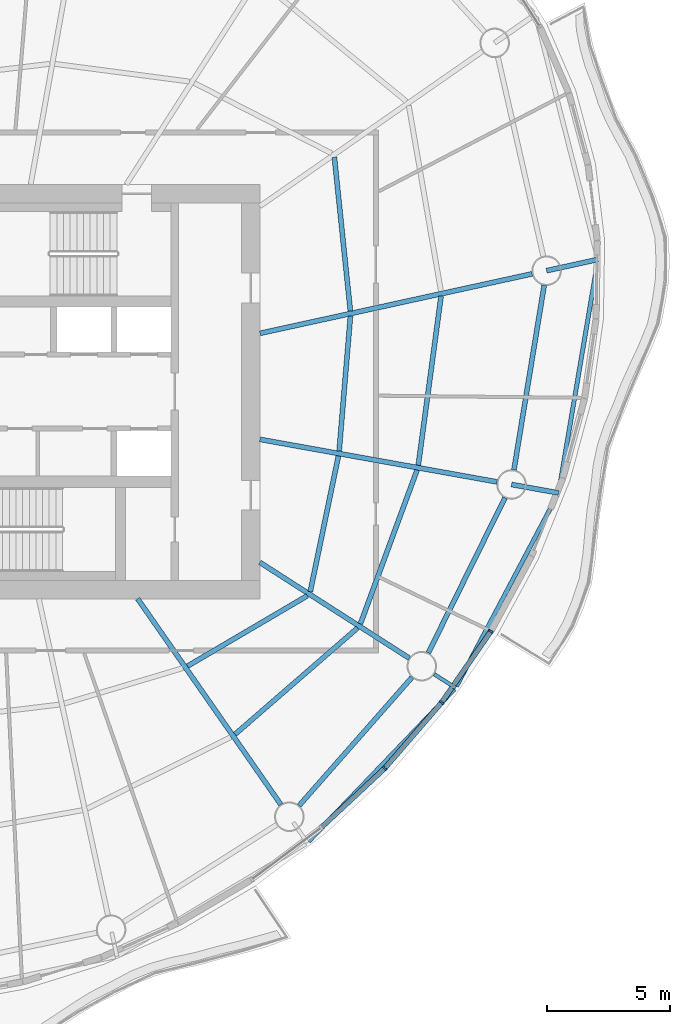
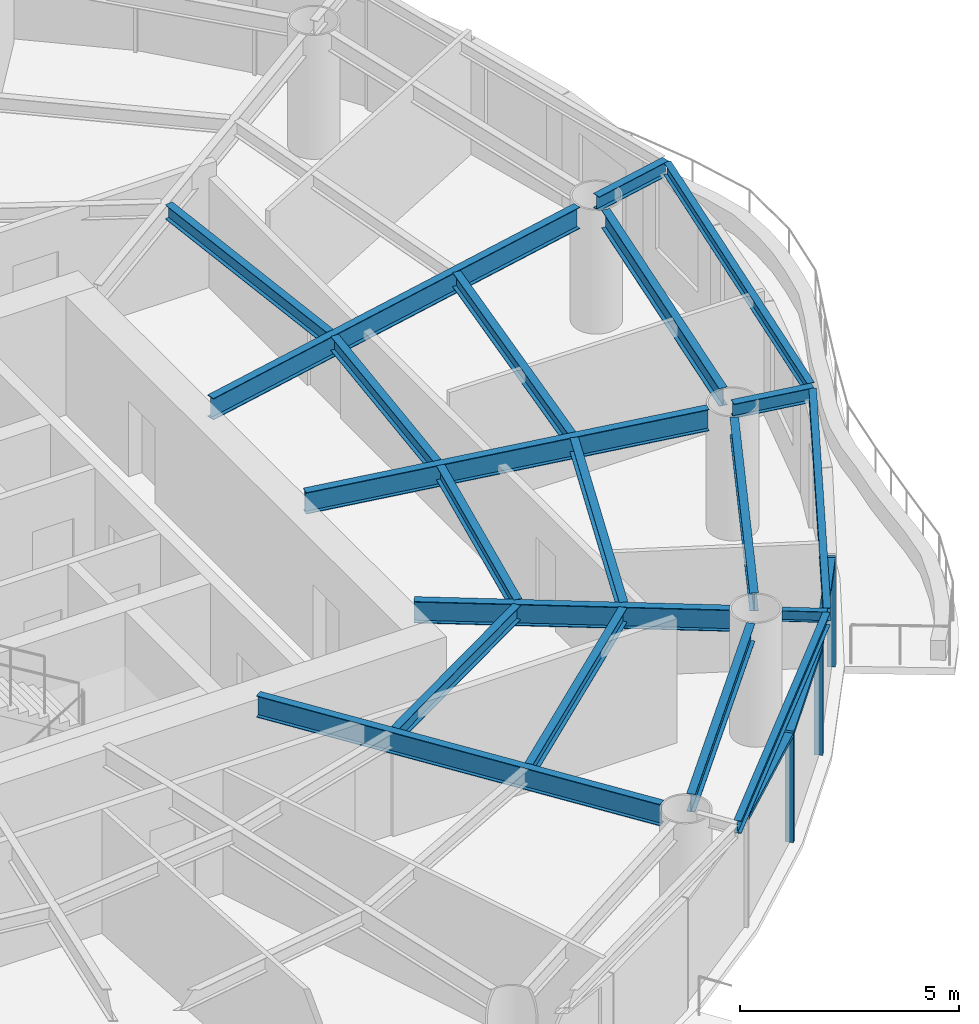
# One storey, part 4 of 14: 20 beams, 6 members, 3 elements without a shape of their own.
"""IFC4 building model written with IfcOpenShell, lengths in metres."""

import ifcopenshell
import ifcopenshell.guid

model = None  # the IFC model being written
_history = None  # IfcOwnerHistory: only IFC2X3 demands one
_inside = {}  # id of a spatial element -> (the spatial element, [elements in it])
_under = {}  # id of a project, library or spatial element -> (it, [spatial elements below it])
_declared = {}  # id of a project -> (the project, [libraries it declares])
_typed = {}  # id of a type object -> (the type object, [elements of that type])
_made_of = {}  # id of a material, layer set ... -> (it, [elements and type objects made of it])


def new_model(schema):
    """Start an empty IFC model of exactly this schema.

    Asked for "IFC4X3", IfcOpenShell would pick the latest addendum, in which some entities
    have other attributes; the version numbers below select the first issue.
    IFC2X3 requires an IfcOwnerHistory on every rooted entity: one is made here for all.
    """
    global model, _history
    if schema == "IFC4X3":
        model = ifcopenshell.file(schema_version=(4, 3, 0, 0))
    else:
        model = ifcopenshell.file(schema=schema)
    _inside.clear()
    _under.clear()
    _declared.clear()
    _typed.clear()
    _made_of.clear()
    _history = None
    if model.schema == "IFC2X3":
        org = make("IfcOrganization", Name="unknown")
        user = make(
            "IfcPersonAndOrganization",
            ThePerson=make("IfcPerson", FamilyName="unknown"),
            TheOrganization=org,
        )
        app = make(
            "IfcApplication",
            ApplicationDeveloper=org,
            Version="unknown",
            ApplicationFullName="unknown",
            ApplicationIdentifier="unknown",
        )
        _history = make(
            "IfcOwnerHistory",
            OwningUser=user,
            OwningApplication=app,
            ChangeAction="ADDED",
            CreationDate=0,
        )
    return model


def make(cls, **values):
    """One entity of the class cls with the attributes given. An attribute that is None is left unset."""
    return model.create_entity(
        cls, **{name: value for name, value in values.items() if value is not None}
    )


def rooted(cls, **values):
    """An entity with a GlobalId (a new one), such as an element, a storey or a relation."""
    return make(cls, GlobalId=ifcopenshell.guid.new(), OwnerHistory=_history, **values)


def si_unit(unit_type, name, prefix=None):
    """IfcSIUnit, for example si_unit("LENGTHUNIT", "METRE", prefix="MILLI")."""
    return make("IfcSIUnit", UnitType=unit_type, Prefix=prefix, Name=name)


def assignment(units):
    """IfcUnitAssignment: the units of a project."""
    return None if units is None else make("IfcUnitAssignment", Units=units)


def point(xyz):
    """IfcCartesianPoint."""
    return None if xyz is None else make("IfcCartesianPoint", Coordinates=xyz)


def direction(xyz):
    """IfcDirection."""
    return None if xyz is None else make("IfcDirection", DirectionRatios=xyz)


def frame(location, z_axis=None, x_axis=None):
    """IfcAxis2Placement3D, a coordinate frame: its origin and axes. An axis left out is left unset."""
    return make(
        "IfcAxis2Placement3D",
        Location=point(location),
        Axis=direction(z_axis),
        RefDirection=direction(x_axis),
    )


def frame_2d(location, x_axis=None):
    """IfcAxis2Placement2D, a coordinate frame in the plane: its origin and x axis."""
    return make(
        "IfcAxis2Placement2D", Location=point(location), RefDirection=direction(x_axis)
    )


def origin():
    """The frame at (0, 0, 0) with its axes left unset."""
    return frame((0.0, 0.0, 0.0))


def origin_2d():
    """The frame at (0, 0) in the plane with its x axis left unset."""
    return frame_2d((0.0, 0.0))


def place(relative_to, where):
    """IfcLocalPlacement: puts the frame where relative to a parent placement (None: the world)."""
    return make(
        "IfcLocalPlacement", PlacementRelTo=relative_to, RelativePlacement=where
    )


def context(
    kind, dimensions, precision=None, world=None, true_north=None, identifier=None
):
    """IfcGeometricRepresentationContext, for example the 3D "Model" context."""
    return make(
        "IfcGeometricRepresentationContext",
        ContextIdentifier=identifier,
        ContextType=kind,
        CoordinateSpaceDimension=dimensions,
        Precision=precision,
        WorldCoordinateSystem=world,
        TrueNorth=true_north,
    )


def subcontext(parent, identifier, kind, view, scale=None):
    """IfcGeometricRepresentationSubContext, for example "Body" below "Model"."""
    return make(
        "IfcGeometricRepresentationSubContext",
        ContextIdentifier=identifier,
        ContextType=kind,
        ParentContext=parent,
        TargetScale=scale,
        TargetView=view,
    )


def project(units=None, contexts=None):
    """IfcProject with its units and contexts."""
    return rooted(
        "IfcProject",
        Name="project",
        RepresentationContexts=contexts,
        UnitsInContext=assignment(units),
    )


def spatial(cls, under=None, at=None, **own):
    """A site, building, storey or space (cls), placed at a placement, below another one or the project."""
    s = rooted(cls, ObjectPlacement=at, **own)
    if under is not None:
        _under.setdefault(under.id(), (under, []))[1].append(s)
    return s


def profile(cls, at=None, kind="AREA", **sizes):
    """A parametric profile (cls). Its sizes go by their IFC names, for example OverallWidth=200.0."""
    return make(cls, ProfileType=kind, Position=at, **sizes)


def rectangle(**sizes):
    """IfcRectangleProfileDef."""
    return profile("IfcRectangleProfileDef", **sizes)


def i_section(**sizes):
    """IfcIShapeProfileDef."""
    return profile("IfcIShapeProfileDef", **sizes)


def extrude(swept, where, along, depth):
    """IfcExtrudedAreaSolid: the profile swept, set in the frame where, extruded along a direction by depth."""
    return make(
        "IfcExtrudedAreaSolid",
        SweptArea=swept,
        Position=where,
        ExtrudedDirection=direction(along),
        Depth=depth,
    )


def shape(context_of_items, identifier, shape_type, items):
    """IfcShapeRepresentation: the items that make up one representation, for example the "Body"."""
    return make(
        "IfcShapeRepresentation",
        ContextOfItems=context_of_items,
        RepresentationIdentifier=identifier,
        RepresentationType=shape_type,
        Items=items,
    )


def material(Name=None, Category=None):
    """IfcMaterial."""
    return make("IfcMaterial", Name=Name, Category=Category)


def material_profile(
    of_material, cross_section, Name=None, Category=None, Priority=None
):
    """IfcMaterialProfile: a cross section and its material."""
    return make(
        "IfcMaterialProfile",
        Name=Name,
        Material=of_material,
        Profile=cross_section,
        Priority=Priority,
        Category=Category,
    )


def profile_set(profiles, Name=None, composite=None):
    """IfcMaterialProfileSet."""
    return make(
        "IfcMaterialProfileSet",
        Name=Name,
        MaterialProfiles=profiles,
        CompositeProfile=composite,
    )


def made_of(thing, what):
    """Note that an element or type object is made of a material, layer set ...; save() writes the relation."""
    if what is not None:
        _made_of.setdefault(what.id(), (what, []))[1].append(thing)
    return thing


def type_object(cls, material=None, **own):
    """A type object (cls), such as IfcWallType, which elements share."""
    return made_of(rooted(cls, **own), material)


def element(
    cls,
    number,
    at=None,
    inside=None,
    cuts=None,
    type_object=None,
    material=None,
    context=None,
    identifier="Body",
    shape_type=None,
    held_by="IfcProductDefinitionShape",
    body=None,
    shapes=None,
    **own,
):
    """One element of the class cls, such as IfcWall. Its Tag is "e" and its number.

    at: its placement. inside: the storey or other place that contains it. cuts: it is an
    opening in that element (IfcRelVoidsElement). A single representation is given by context,
    identifier, shape_type and body (its items); several are given by shapes. held_by: the class
    of the entity that holds the representations. save() writes the other relations.
    """
    e = rooted(cls, Tag="e%d" % number, ObjectPlacement=at, **own)
    if body is not None:
        shapes = [shape(context, identifier, shape_type, body)]
    if shapes is not None:
        e.Representation = make(held_by, Representations=shapes)
    if inside is not None:
        _inside.setdefault(inside.id(), (inside, []))[1].append(e)
    if cuts is not None:
        rooted(
            "IfcRelVoidsElement", RelatingBuildingElement=cuts, RelatedOpeningElement=e
        )
    if type_object is not None:
        _typed.setdefault(type_object.id(), (type_object, []))[1].append(e)
    return made_of(e, material)


def aggregate(whole, parts):
    """IfcRelAggregates: a whole, such as a stair, and the parts it consists of."""
    return rooted("IfcRelAggregates", RelatingObject=whole, RelatedObjects=parts)


def save(model, path):
    """Write the relations noted so far, then the file.

    IfcRelAggregates (storeys below a building ...), IfcRelContainedInSpatialStructure (elements
    in a storey), IfcRelDefinesByType, IfcRelAssociatesMaterial and IfcRelDeclares: one each for
    every whole, place, type object, material and project.
    """
    for whole, parts in _under.values():
        aggregate(whole, parts)
    for where, things in _inside.values():
        rooted(
            "IfcRelContainedInSpatialStructure",
            RelatedElements=things,
            RelatingStructure=where,
        )
    for kind, things in _typed.values():
        rooted("IfcRelDefinesByType", RelatedObjects=things, RelatingType=kind)
    for what, things in _made_of.values():
        rooted("IfcRelAssociatesMaterial", RelatedObjects=things, RelatingMaterial=what)
    for by, libraries in _declared.values():
        rooted("IfcRelDeclares", RelatingContext=by, RelatedDefinitions=libraries)
    model.write(path)


model = new_model("IFC4")

# Units and contexts
model_context = context("Model", 3, precision=1e-05, world=origin(), true_north=direction((0.0, 1.0)))
body_context = subcontext(model_context, "Body", "Model", "MODEL_VIEW")
ifc_project = project(units=[si_unit("LENGTHUNIT", "METRE"), si_unit("AREAUNIT", "SQUARE_METRE"), si_unit("VOLUMEUNIT", "CUBIC_METRE"), si_unit("PLANEANGLEUNIT", "RADIAN"), si_unit("MASSUNIT", "GRAM", prefix="KILO")], contexts=[model_context])

# Site, building, storey
site_placement = place(None, origin())
site = spatial("IfcSite", under=ifc_project, at=site_placement, CompositionType="ELEMENT")
building_placement = place(site_placement, origin())
building = spatial("IfcBuilding", under=site, at=building_placement, Name="Vermilion Reach Broadcast Tower", CompositionType="ELEMENT")
storey_placement = place(building_placement, frame((0.0, 0.0, 217.300048828125)))
storey = spatial("IfcBuildingStorey", under=building, at=storey_placement, Name="L53", CompositionType="ELEMENT", Elevation=217.300048828125)

# Beams
ifc_material_1 = material(Name="Steel S355J2", Category="steel")
ifc_material_profile_1 = material_profile(ifc_material_1, i_section(OverallWidth=0.175048828125, OverallDepth=0.35009765625, WebThickness=0.007080078125, FlangeThickness=0.010986328125, at=origin_2d()), Name="S355J2 HN 350x175x7x11")
ifc_profile_set_1 = profile_set([ifc_material_profile_1], Name="Steel S355J2")
beam_type_1 = type_object("IfcBeamType", Name="EB4 HN 350x175x7x11", PredefinedType="BEAM", material=ifc_profile_set_1)
beam_1_placement = place(storey_placement, frame((6.779541015625, -18.2353515625, 3.27490234375), z_axis=(0.691537527371, 0.722340534815, 0.0), x_axis=(-0.722340534815, 0.691537527371, 0.0)))
element("IfcBeam", 1, at=beam_1_placement, inside=storey, type_object=beam_type_1, Name="Edge beam EB4-12", PredefinedType="BEAM", context=body_context, shape_type="SweptSolid", body=[
    extrude(i_section(OverallWidth=0.175048828125, OverallDepth=0.35009765625, WebThickness=0.007080078125, FlangeThickness=0.010986328125, at=origin_2d()), origin(), (0.0, 0.0, 1.0), 8.5361328125),
])
beam_2_placement = place(storey_placement, frame((12.770751953125, -11.947509765625, 3.27490234375), z_axis=(0.46684098408, 0.884341277779, 0.0), x_axis=(-0.884341277779, 0.46684098408, 0.0)))
element("IfcBeam", 2, at=beam_2_placement, inside=storey, type_object=beam_type_1, Name="Edge beam EB4-13", PredefinedType="BEAM", context=body_context, shape_type="SweptSolid", body=[
    extrude(i_section(OverallWidth=0.175048828125, OverallDepth=0.35009765625, WebThickness=0.007080078125, FlangeThickness=0.010986328125, at=origin_2d()), origin(), (0.0, 0.0, 1.0), 8.758056640625),
])
beam_3_placement = place(storey_placement, frame((16.925048828125, -4.010986328125, 3.27490234375), z_axis=(0.166485083639, 0.98604397312, 0.0), x_axis=(-0.98604397312, 0.166485083639, 0.0)))
element("IfcBeam", 3, at=beam_3_placement, inside=storey, type_object=beam_type_1, Name="Edge beam EB4-14", PredefinedType="BEAM", context=body_context, shape_type="SweptSolid", body=[
    extrude(i_section(OverallWidth=0.175048828125, OverallDepth=0.35009765625, WebThickness=0.007080078125, FlangeThickness=0.010986328125, at=origin_2d()), origin(), (0.0, 0.0, 1.0), 9.392578125),
])
ifc_material_2 = material(Name="Steel S355J2", Category="steel")
ifc_material_profile_2 = material_profile(ifc_material_2, i_section(OverallWidth=0.199951171875, OverallDepth=0.60009765625, WebThickness=0.010986328125, FlangeThickness=0.01708984375, at=origin_2d()), Name="S355J2 HN 600x200x11x17")
ifc_profile_set_2 = profile_set([ifc_material_profile_2], Name="Steel S355J2")
beam_type_2 = type_object("IfcBeamType", Name="G4 HN 600x200x11x17", PredefinedType="BEAM", material=ifc_profile_set_2)
beam_4_placement = place(storey_placement, frame((-0.1552734375, -8.39990234375, 3.14990234375), z_axis=(0.571134149017, -0.8208567377, 0.0), x_axis=(0.8208567377, 0.571134149017, 0.0)))
element("IfcBeam", 4, at=beam_4_placement, inside=storey, type_object=beam_type_2, Name="Girder G4-12", PredefinedType="BEAM", context=body_context, shape_type="SweptSolid", body=[
    extrude(i_section(OverallWidth=0.199951171875, OverallDepth=0.60009765625, WebThickness=0.010986328125, FlangeThickness=0.01708984375, at=origin_2d()), origin(), (0.0, 0.0, 1.0), 10.16552734375),
])
beam_5_placement = place(storey_placement, frame((4.800048828125, -6.925537109375, 3.14990234375), z_axis=(0.841798504642, -0.539791883584, 0.0), x_axis=(0.539791883584, 0.841798504642, 0.0)))
element("IfcBeam", 5, at=beam_5_placement, inside=storey, type_object=beam_type_2, Name="Girder G4-13", PredefinedType="BEAM", context=body_context, shape_type="SweptSolid", body=[
    extrude(i_section(OverallWidth=0.199951171875, OverallDepth=0.60009765625, WebThickness=0.010986328125, FlangeThickness=0.01708984375, at=origin_2d()), origin(), (0.0, 0.0, 1.0), 7.1962890625),
])
beam_6_placement = place(storey_placement, frame((4.800048828125, -1.9375, 3.14990234375), z_axis=(0.984291153273, -0.176552897422, 0.0), x_axis=(0.176552897422, 0.984291153273, 0.0)))
element("IfcBeam", 6, at=beam_6_placement, inside=storey, type_object=beam_type_2, Name="Girder G4-14", PredefinedType="BEAM", context=body_context, shape_type="SweptSolid", body=[
    extrude(i_section(OverallWidth=0.199951171875, OverallDepth=0.60009765625, WebThickness=0.010986328125, FlangeThickness=0.01708984375, at=origin_2d()), origin(), (0.0, 0.0, 1.0), 9.765380859375),
])
beam_7_placement = place(storey_placement, frame((4.800048828125, 2.360595703125, 3.14990234375), z_axis=(0.976930175286, 0.213558967537, 0.0), x_axis=(-0.213558967537, 0.976930175286, 0.0)))
element("IfcBeam", 7, at=beam_7_placement, inside=storey, type_object=beam_type_2, Name="Girder G4-15", PredefinedType="BEAM", context=body_context, shape_type="SweptSolid", body=[
    extrude(i_section(OverallWidth=0.199951171875, OverallDepth=0.60009765625, WebThickness=0.010986328125, FlangeThickness=0.01708984375, at=origin_2d()), origin(), (0.0, 0.0, 1.0), 11.29833984375),
])
ifc_material_3 = material(Name="Steel S355J2", Category="steel")
ifc_material_profile_3 = material_profile(ifc_material_3, i_section(OverallWidth=0.199951171875, OverallDepth=0.39990234375, WebThickness=0.008056640625, FlangeThickness=0.012939453125, at=origin_2d()), Name="S355J2 HN 400x200x8x13")
ifc_profile_set_3 = profile_set([ifc_material_profile_3], Name="Steel S355J2")
beam_type_3 = type_object("IfcBeamType", Name="GC4 HN 400x200x8x13", PredefinedType="BEAM", material=ifc_profile_set_3)
beam_8_placement = place(storey_placement, frame((15.002685546875, -3.767578125, 3.25), z_axis=(0.984272893528, -0.176654666133, 0.0), x_axis=(0.176654666133, 0.984272893528, 0.0)))
element("IfcBeam", 8, at=beam_8_placement, inside=storey, type_object=beam_type_3, Name="Cantilever girder GC4-14", PredefinedType="BEAM", context=body_context, shape_type="SweptSolid", body=[
    extrude(i_section(OverallWidth=0.199951171875, OverallDepth=0.39990234375, WebThickness=0.008056640625, FlangeThickness=0.012939453125, at=origin_2d()), origin(), (0.0, 0.0, 1.0), 1.936279296875),
])
beam_9_placement = place(storey_placement, frame((16.423828125, 4.9013671875, 3.25), z_axis=(0.976927650781, 0.213570515614, 0.0), x_axis=(-0.213570515614, 0.976927650781, 0.0)))
element("IfcBeam", 9, at=beam_9_placement, inside=storey, type_object=beam_type_3, Name="Cantilever girder GC4-15", PredefinedType="BEAM", context=body_context, shape_type="SweptSolid", body=[
    extrude(i_section(OverallWidth=0.199951171875, OverallDepth=0.39990234375, WebThickness=0.008056640625, FlangeThickness=0.012939453125, at=origin_2d()), origin(), (0.0, 0.0, 1.0), 2.1318359375),
])
ifc_material_4 = material(Name="Steel S355J2", Category="steel")
ifc_material_profile_4 = material_profile(ifc_material_4, i_section(OverallWidth=0.14990234375, OverallDepth=0.300048828125, WebThickness=0.006591796875, FlangeThickness=0.009033203125, at=origin_2d()), Name="S355J2 HN 300x150x6.5x9")
ifc_profile_set_4 = profile_set([ifc_material_profile_4], Name="Steel S355J2")
beam_type_4 = type_object("IfcBeamType", Name="GS4 HN 300x150x6.5x9", PredefinedType="BEAM", material=ifc_profile_set_4)
beam_10_placement = place(storey_placement, frame((11.867919921875, -11.457763671875, 3.300048828125), z_axis=(0.841793590175, -0.539799547555, 0.0), x_axis=(0.539799547555, 0.841793590175, 0.0)))
element("IfcBeam", 10, at=beam_10_placement, inside=storey, type_object=beam_type_4, Name="Cantilever stub GS4-13", PredefinedType="BEAM", context=body_context, shape_type="SweptSolid", body=[
    extrude(i_section(OverallWidth=0.14990234375, OverallDepth=0.300048828125, WebThickness=0.006591796875, FlangeThickness=0.009033203125, at=origin_2d()), origin(), (0.0, 0.0, 1.0), 1.03076171875),
])
ifc_material_5 = material(Name="Steel S355J2", Category="steel")
ifc_material_profile_5 = material_profile(ifc_material_5, i_section(OverallWidth=0.199951171875, OverallDepth=0.5, WebThickness=0.010009765625, FlangeThickness=0.01611328125, at=origin_2d()), Name="S355J2 HN 500x200x10x16")
ifc_profile_set_5 = profile_set([ifc_material_profile_5], Name="Steel S355J2")
beam_type_5 = type_object("IfcBeamType", Name="RB4 HN 500x200x10x16", PredefinedType="BEAM", material=ifc_profile_set_5)
beam_11_placement = place(storey_placement, frame((6.3896484375, -16.786376953125, 3.199951171875), z_axis=(0.660565141761, 0.750768735024, 0.0), x_axis=(-0.750768735024, 0.660565141761, 0.0)))
element("IfcBeam", 11, at=beam_11_placement, inside=storey, type_object=beam_type_5, Name="Ring beam RB4-12", PredefinedType="BEAM", context=body_context, shape_type="SweptSolid", body=[
    extrude(i_section(OverallWidth=0.199951171875, OverallDepth=0.5, WebThickness=0.010009765625, FlangeThickness=0.01611328125, at=origin_2d()), origin(), (0.0, 0.0, 1.0), 6.9287109375),
])
beam_12_placement = place(storey_placement, frame((11.628662109375, -10.595947265625, 3.199951171875), z_axis=(0.442977497199, 0.896532730566, 0.0), x_axis=(-0.896532730566, 0.442977497199, 0.0)))
element("IfcBeam", 12, at=beam_12_placement, inside=storey, type_object=beam_type_5, Name="Ring beam RB4-13", PredefinedType="BEAM", context=body_context, shape_type="SweptSolid", body=[
    extrude(i_section(OverallWidth=0.199951171875, OverallDepth=0.5, WebThickness=0.010009765625, FlangeThickness=0.01611328125, at=origin_2d()), origin(), (0.0, 0.0, 1.0), 7.0166015625),
])
beam_13_placement = place(storey_placement, frame((15.099609375, -3.175537109375, 3.199951171875), z_axis=(0.161778110263, 0.986827159659, 0.0), x_axis=(-0.986827159659, 0.161778110263, 0.0)))
element("IfcBeam", 13, at=beam_13_placement, inside=storey, type_object=beam_type_5, Name="Ring beam RB4-14", PredefinedType="BEAM", context=body_context, shape_type="SweptSolid", body=[
    extrude(i_section(OverallWidth=0.199951171875, OverallDepth=0.5, WebThickness=0.010009765625, FlangeThickness=0.01611328125, at=origin_2d()), origin(), (0.0, 0.0, 1.0), 7.584716796875),
])
ifc_material_6 = material(Name="Steel S355J2", Category="steel")
ifc_material_profile_6 = material_profile(ifc_material_6, i_section(OverallWidth=0.199951171875, OverallDepth=0.39990234375, WebThickness=0.008056640625, FlangeThickness=0.012939453125, at=origin_2d()), Name="S355J2 HN 400x200x8x13")
ifc_profile_set_6 = profile_set([ifc_material_profile_6], Name="Steel S355J2")
beam_type_6 = type_object("IfcBeamType", Name="SB4 HN 400x200x8x13", PredefinedType="BEAM", material=ifc_profile_set_6)
beam_14_placement = place(storey_placement, frame((1.866455078125, -11.130615234375, 3.25), z_axis=(0.862172572268, 0.506614701356, 0.0), x_axis=(-0.506614701356, 0.862172572268, 0.0)))
element("IfcBeam", 14, at=beam_14_placement, inside=storey, type_object=beam_type_6, Name="Secondary beam SB4-12-1", PredefinedType="BEAM", context=body_context, shape_type="SweptSolid", body=[
    extrude(i_section(OverallWidth=0.199951171875, OverallDepth=0.39990234375, WebThickness=0.008056640625, FlangeThickness=0.012939453125, at=origin_2d()), origin(), (0.0, 0.0, 1.0), 5.632568359375),
])
beam_15_placement = place(storey_placement, frame((3.791259765625, -13.89697265625, 3.25), z_axis=(0.755129308567, 0.655575874589, 0.0), x_axis=(-0.655575874589, 0.755129308567, 0.0)))
element("IfcBeam", 15, at=beam_15_placement, inside=storey, type_object=beam_type_6, Name="Secondary beam SB4-12-2", PredefinedType="BEAM", context=body_context, shape_type="SweptSolid", body=[
    extrude(i_section(OverallWidth=0.199951171875, OverallDepth=0.39990234375, WebThickness=0.008056640625, FlangeThickness=0.012939453125, at=origin_2d()), origin(), (0.0, 0.0, 1.0), 6.57958984375),
])
beam_16_placement = place(storey_placement, frame((6.841064453125, -8.115478515625, 3.25), z_axis=(0.20320860258, 0.979135467562, 0.0), x_axis=(-0.979135467562, 0.20320860258, 0.0)))
element("IfcBeam", 16, at=beam_16_placement, inside=storey, type_object=beam_type_6, Name="Secondary beam SB4-13-1", PredefinedType="BEAM", context=body_context, shape_type="SweptSolid", body=[
    extrude(i_section(OverallWidth=0.199951171875, OverallDepth=0.39990234375, WebThickness=0.008056640625, FlangeThickness=0.012939453125, at=origin_2d()), origin(), (0.0, 0.0, 1.0), 5.622802734375),
])
beam_17_placement = place(storey_placement, frame((8.8740234375, -9.419189453125, 3.25), z_axis=(0.345833008621, 0.938296078084, 0.0), x_axis=(-0.938296078084, 0.345833008621, 0.0)))
element("IfcBeam", 17, at=beam_17_placement, inside=storey, type_object=beam_type_6, Name="Secondary beam SB4-13-2", PredefinedType="BEAM", context=body_context, shape_type="SweptSolid", body=[
    extrude(i_section(OverallWidth=0.199951171875, OverallDepth=0.39990234375, WebThickness=0.008056640625, FlangeThickness=0.012939453125, at=origin_2d()), origin(), (0.0, 0.0, 1.0), 6.647216796875),
])
beam_18_placement = place(storey_placement, frame((8.012451171875, -2.412109375, 3.25), z_axis=(0.08339866655, 0.996516262997, 0.0), x_axis=(-0.996516262997, 0.08339866655, 0.0)))
element("IfcBeam", 18, at=beam_18_placement, inside=storey, type_object=beam_type_6, Name="Secondary beam SB4-14-1", PredefinedType="BEAM", context=body_context, shape_type="SweptSolid", body=[
    extrude(i_section(OverallWidth=0.199951171875, OverallDepth=0.39990234375, WebThickness=0.008056640625, FlangeThickness=0.012939453125, at=origin_2d()), origin(), (0.0, 0.0, 1.0), 5.49169921875),
])
beam_19_placement = place(storey_placement, frame((11.221435546875, -2.98779296875, 3.25), z_axis=(0.133486718782, 0.991050602093, 0.0), x_axis=(-0.991050602093, 0.133486718782, 0.0)))
element("IfcBeam", 19, at=beam_19_placement, inside=storey, type_object=beam_type_6, Name="Secondary beam SB4-14-2", PredefinedType="BEAM", context=body_context, shape_type="SweptSolid", body=[
    extrude(i_section(OverallWidth=0.199951171875, OverallDepth=0.39990234375, WebThickness=0.008056640625, FlangeThickness=0.012939453125, at=origin_2d()), origin(), (0.0, 0.0, 1.0), 6.913330078125),
])
beam_20_placement = place(storey_placement, frame((8.46875, 3.264892578125, 3.25), z_axis=(-0.103532173355, 0.994626105167, 0.0), x_axis=(-0.994626105167, -0.103532173355, 0.0)))
element("IfcBeam", 20, at=beam_20_placement, inside=storey, type_object=beam_type_6, Name="Secondary beam SB4-15-1", PredefinedType="BEAM", context=body_context, shape_type="SweptSolid", body=[
    extrude(i_section(OverallWidth=0.199951171875, OverallDepth=0.39990234375, WebThickness=0.008056640625, FlangeThickness=0.012939453125, at=origin_2d()), origin(), (0.0, 0.0, 1.0), 6.26318359375),
])

# Curtain wall, member
ifc_material_7 = material(Name="Low-e laminated clear glass in aluminium frame", Category="aluminium")
curtain_wall_type = type_object("IfcCurtainWallType", Name="Slot curtain wall", PredefinedType="NOTDEFINED", material=ifc_material_7)
placement = place(storey_placement, origin())
curtain_wall_1 = element("IfcCurtainWall", 21, at=placement, inside=storey, type_object=curtain_wall_type, Name="Slot curtain wall L53 36", PredefinedType="NOTDEFINED")
ifc_material_8 = material(Name="Anodised aluminium", Category="aluminium")
ifc_material_profile_7 = material_profile(ifc_material_8, rectangle(XDim=0.199951171875, YDim=0.080078125, at=origin_2d()), Name="Slot mullion 80 x 200")
ifc_profile_set_7 = profile_set([ifc_material_profile_7], Name="Anodised aluminium")
member_type_1 = type_object("IfcMemberType", Name="Slot mullion 80 x 200", PredefinedType="MULLION", material=ifc_profile_set_7)
member_1_placement = place(storey_placement, frame((9.861083984375, -15.274169921875, 0.0), z_axis=(0.0, 0.0, 1.0), x_axis=(-0.720308959658, 0.693653373549, 0.0)))
member_1 = element("IfcMember", 22, at=member_1_placement, type_object=member_type_1, Name="Slot mullion L53 36", PredefinedType="MULLION", context=body_context, shape_type="SweptSolid", body=[
    extrude(rectangle(XDim=0.199951171875, YDim=0.080078125, at=origin_2d()), origin(), (0.0, 0.0, 1.0), 3.050048828125),
])

# Curtain wall, members
curtain_wall_2 = element("IfcCurtainWall", 23, at=placement, inside=storey, type_object=curtain_wall_type, Name="Slot curtain wall L53 37", PredefinedType="NOTDEFINED")
member_2_placement = place(storey_placement, frame((12.16845703125, -12.605224609375, 0.0), z_axis=(0.0, 0.0, 1.0), x_axis=(-0.790646055855, 0.61227348004, 0.0)))
member_2 = element("IfcMember", 24, at=member_2_placement, type_object=member_type_1, Name="Slot mullion L53 37", PredefinedType="MULLION", context=body_context, shape_type="SweptSolid", body=[
    extrude(rectangle(XDim=0.199951171875, YDim=0.080078125, at=origin_2d()), origin(), (0.0, 0.0, 1.0), 3.050048828125),
])
member_3_placement = place(storey_placement, frame((14.16357421875, -9.7197265625, 0.0), z_axis=(0.0, 0.0, 1.0), x_axis=(-0.852466806886, 0.522781353108, 0.0)))
member_3 = element("IfcMember", 25, at=member_3_placement, type_object=member_type_1, Name="Slot mullion L53 38", PredefinedType="MULLION", context=body_context, shape_type="SweptSolid", body=[
    extrude(rectangle(XDim=0.199951171875, YDim=0.080078125, at=origin_2d()), origin(), (0.0, 0.0, 1.0), 3.050048828125),
])

# Curtain wall, member
curtain_wall_3 = element("IfcCurtainWall", 26, at=placement, inside=storey, type_object=curtain_wall_type, Name="Slot curtain wall L53 35", PredefinedType="NOTDEFINED")
ifc_material_9 = material(Name="Anodised aluminium", Category="aluminium")
ifc_material_profile_8 = material_profile(ifc_material_9, rectangle(XDim=0.199951171875, YDim=0.10009765625, at=origin_2d()), Name="Slot transom 200 x 100")
ifc_profile_set_8 = profile_set([ifc_material_profile_8], Name="Anodised aluminium")
member_type_2 = type_object("IfcMemberType", Name="Slot transom 200 x 100", PredefinedType="USERDEFINED", material=ifc_profile_set_8)
member_4_placement = place(storey_placement, frame((7.310302734375, -17.6533203125, 3.0), z_axis=(0.731248306149, 0.68211136536, 0.0), x_axis=(-0.68211136536, 0.731248306149, 0.0)))
member_4 = element("IfcMember", 27, at=member_4_placement, type_object=member_type_2, Name="Slot transom L53 35.1", ObjectType="TRANSOM", PredefinedType="USERDEFINED", context=body_context, shape_type="SweptSolid", body=[
    extrude(rectangle(XDim=0.199951171875, YDim=0.10009765625, at=origin_2d()), origin(), (0.0, 0.0, 1.0), 3.4482421875),
])
aggregate(curtain_wall_3, [member_4])

# Member
member_5_placement = place(storey_placement, frame((9.88720703125, -15.243896484375, 3.0), z_axis=(0.654021646403, 0.756475833081, 0.0), x_axis=(-0.756475833081, 0.654021646403, 0.0)))
member_5 = element("IfcMember", 28, at=member_5_placement, type_object=member_type_2, Name="Slot transom L53 36.1", ObjectType="TRANSOM", PredefinedType="USERDEFINED", context=body_context, shape_type="SweptSolid", body=[
    extrude(rectangle(XDim=0.199951171875, YDim=0.10009765625, at=origin_2d()), origin(), (0.0, 0.0, 1.0), 3.447998046875),
])

aggregate(curtain_wall_1, [member_1, member_5])

member_6_placement = place(storey_placement, frame((12.191162109375, -12.572265625, 3.0), z_axis=(0.568754375196, 0.822507422882, 0.0), x_axis=(-0.822507422882, 0.568754375196, 0.0)))
member_6 = element("IfcMember", 29, at=member_6_placement, type_object=member_type_2, Name="Slot transom L53 37.1", ObjectType="TRANSOM", PredefinedType="USERDEFINED", context=body_context, shape_type="SweptSolid", body=[
    extrude(rectangle(XDim=0.199951171875, YDim=0.10009765625, at=origin_2d()), origin(), (0.0, 0.0, 1.0), 3.427978515625),
])

aggregate(curtain_wall_2, [member_2, member_3, member_6])

save(model, "model.ifc")
